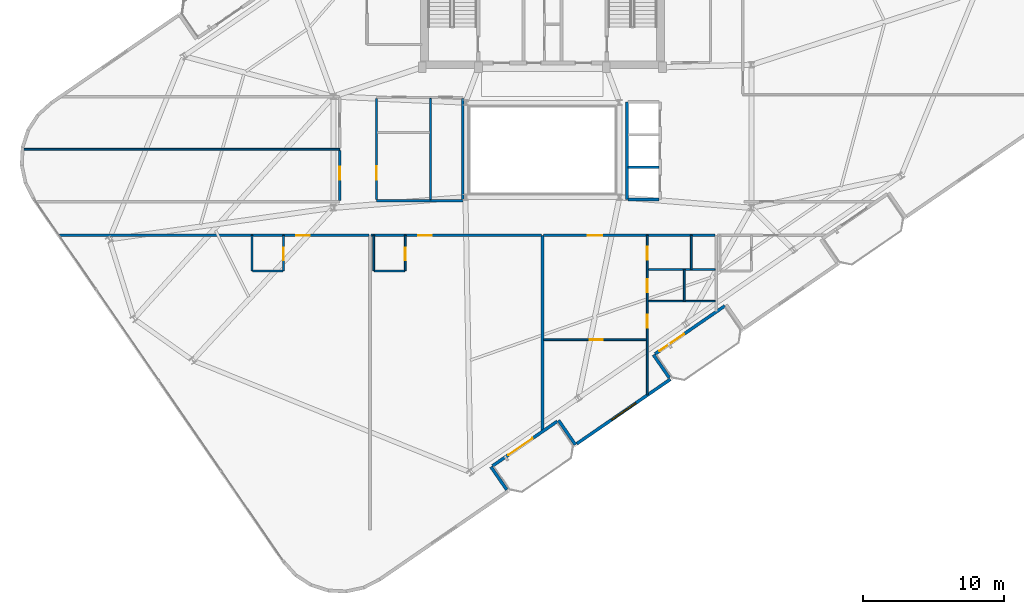
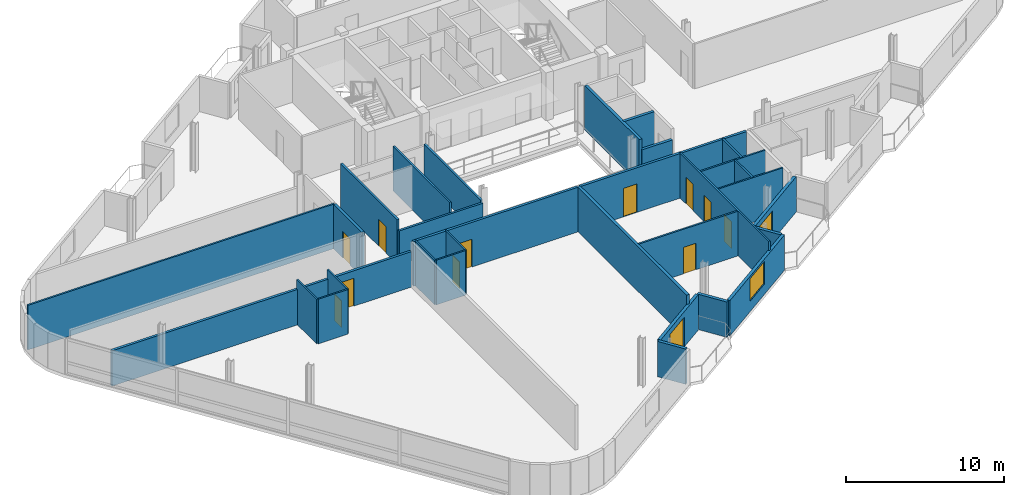
# One storey, part 14 of 21: 31 walls, 13 doors, 1 window, 14 openings.
"""IFC4 building model written with IfcOpenShell, lengths in metres."""

from ifc_helpers import new_model, si_unit, direction, frame, frame_2d, origin, place, context, subcontext, project, spatial, rectangle, extrude, material, layer, layer_set, type_object, element, fill, save


model = new_model("IFC4")

# Units and contexts
model_context = context("Model", 3, precision=1e-05, world=origin(), true_north=direction((0.0, 1.0)))
body_context = subcontext(model_context, "Body", "Model", "MODEL_VIEW")
ifc_project = project(units=[si_unit("LENGTHUNIT", "METRE"), si_unit("AREAUNIT", "SQUARE_METRE"), si_unit("VOLUMEUNIT", "CUBIC_METRE"), si_unit("PLANEANGLEUNIT", "RADIAN"), si_unit("MASSUNIT", "GRAM", prefix="KILO")], contexts=[model_context])

# Site, building, storey
site_placement = place(None, origin())
site = spatial("IfcSite", under=ifc_project, at=site_placement, CompositionType="ELEMENT")
building_placement = place(site_placement, origin())
building = spatial("IfcBuilding", under=site, at=building_placement, Name="Varnelok Gate Tower", CompositionType="ELEMENT")
storey_placement = place(building_placement, frame((0.0, 0.0, 276.699951171875)))
storey = spatial("IfcBuildingStorey", under=building, at=storey_placement, Name="L71", CompositionType="ELEMENT", Elevation=276.699951171875)

# Wall, opening, door
ifc_material_1 = material(Name="Concrete C45/55", Category="concrete")
ifc_layer_1 = layer(ifc_material_1, 0.219970703125)
ifc_layer_set_1 = layer_set([ifc_layer_1], Name="Concrete C45/55")
wall_type_1 = type_object("IfcWallType", Name="EW-BALC-220", PredefinedType="SOLIDWALL", material=ifc_layer_set_1)
wall_1_placement = place(storey_placement, frame((40.243896484375, 3.6884765625, 0.0), z_axis=(0.0, 0.0, 1.0), x_axis=(-0.823541290762, -0.567256328665, 0.0)))
wall_1 = element("IfcWall", 1, at=wall_1_placement, inside=storey, type_object=wall_type_1, Name="L71 South Terrace Envelope Wall 1", PredefinedType="SOLIDWALL", context=body_context, shape_type="SweptSolid", body=[
    extrude(rectangle(XDim=5.567138671875, YDim=0.219970703125, at=frame_2d((2.78369140625, 0.0))), origin(), (0.0, 0.0, 1.0), 2.72998046875),
])
opening_1_placement = place(wall_1_placement, frame((2.10693359375, 0.0, 0.0)))
opening_1 = element("IfcOpeningElement", 2, at=opening_1_placement, cuts=wall_1, Name="Opening BD-2", PredefinedType="OPENING", context=body_context, shape_type="SweptSolid", body=[
    extrude(rectangle(XDim=2.10009765625, YDim=2.300048828125, at=frame_2d((1.050048828125, 1.14990234375))), frame((0.0, 0.119873046875, 0.0), z_axis=(0.0, -1.0, 0.0), x_axis=(1.0, 0.0, 0.0)), (0.0, 0.0, 1.0), 0.239990234375),
])
ifc_material_2 = material(Name="Anodized Aluminum Alloy 6063-T6", Category="aluminium")
door_type_1 = type_object("IfcDoorType", Name="DR-EXT-SLID2100", OperationType="SLIDING_TO_LEFT", PredefinedType="DOOR", material=ifc_material_2)
door_1_placement = place(opening_1_placement, origin())
door_1 = element("IfcDoor", 3, at=door_1_placement, inside=storey, type_object=door_type_1, Name="L71 South Balcony Glazed Door 1", OperationType="SLIDING_TO_LEFT", OverallHeight=2.300048828125, OverallWidth=2.10009765625, PredefinedType="DOOR", context=body_context, shape_type="SweptSolid", body=[
    extrude(rectangle(XDim=2.10009765625, YDim=2.300048828125, at=frame_2d((1.050048828125, 1.14990234375))), frame((0.0, 0.02490234375, 0.0), z_axis=(0.0, -1.0, 0.0), x_axis=(1.0, 0.0, 0.0)), (0.0, 0.0, 1.0), 0.050048828125),
])
fill(opening_1, door_1)

wall_2_placement = place(storey_placement, frame((52.102783203125, 11.85693359375, 0.0), z_axis=(0.0, 0.0, 1.0), x_axis=(-0.823534636215, -0.567265989598, 0.0)))
wall_2 = element("IfcWall", 4, at=wall_2_placement, inside=storey, type_object=wall_type_1, Name="L71 South Terrace Envelope Wall 2", PredefinedType="SOLIDWALL", context=body_context, shape_type="SweptSolid", body=[
    extrude(rectangle(XDim=6.0, YDim=0.219970703125, at=frame_2d((3.0, 0.0))), origin(), (0.0, 0.0, 1.0), 2.72998046875),
])
opening_2_placement = place(wall_2_placement, frame((3.5, 0.0, 0.0)))
opening_2 = element("IfcOpeningElement", 5, at=opening_2_placement, cuts=wall_2, Name="Opening BD-2", PredefinedType="OPENING", context=body_context, shape_type="SweptSolid", body=[
    extrude(rectangle(XDim=2.10009765625, YDim=2.300048828125, at=frame_2d((1.050048828125, 1.14990234375))), frame((0.0, 0.119873046875, 0.0), z_axis=(0.0, -1.0, 0.0), x_axis=(1.0, 0.0, 0.0)), (0.0, 0.0, 1.0), 0.239990234375),
])
door_2_placement = place(opening_2_placement, origin())
door_2 = element("IfcDoor", 6, at=door_2_placement, inside=storey, type_object=door_type_1, Name="L71 South Balcony Glazed Door 2", OperationType="SLIDING_TO_LEFT", OverallHeight=2.300048828125, OverallWidth=2.10009765625, PredefinedType="DOOR", context=body_context, shape_type="SweptSolid", body=[
    extrude(rectangle(XDim=2.10009765625, YDim=2.300048828125, at=frame_2d((1.050048828125, 1.14990234375))), frame((0.0, 0.02490234375, 0.0), z_axis=(0.0, -1.0, 0.0), x_axis=(1.0, 0.0, 0.0)), (0.0, 0.0, 1.0), 0.050048828125),
])
fill(opening_2, door_2)

# Walls
wall_3_placement = place(storey_placement, frame((36.675048828125, -1.156005859375, 0.0), z_axis=(0.0, 0.0, 1.0), x_axis=(-0.567215821234, 0.823569190865, 0.0)))
element("IfcWall", 7, at=wall_3_placement, inside=storey, type_object=wall_type_1, Name="L71 Perimeter Facade Closure Wall 8", PredefinedType="SOLIDWALL", context=body_context, shape_type="SweptSolid", body=[
    extrude(rectangle(XDim=1.97509765625, YDim=0.219970703125, at=frame_2d((0.987548828125, 0.0))), origin(), (0.0, 0.0, 1.0), 2.72998046875),
])
wall_4_placement = place(storey_placement, frame((40.3369140625, 3.7646484375, 0.0), z_axis=(0.0, 0.0, 1.0), x_axis=(0.567352541689, -0.823475010816, 0.0)))
element("IfcWall", 8, at=wall_4_placement, inside=storey, type_object=wall_type_1, Name="L71 Perimeter Facade Closure Wall 9", PredefinedType="SOLIDWALL", context=body_context, shape_type="SweptSolid", body=[
    extrude(rectangle(XDim=2.099853515625, YDim=0.219970703125, at=frame_2d((1.0498046875, 0.0))), origin(), (0.0, 0.0, 1.0), 2.72998046875),
])

# Wall, opening, window
wall_5_placement = place(storey_placement, frame((41.631103515625, 2.106201171875, 0.0), z_axis=(0.0, 0.0, 1.0), x_axis=(0.823530942962, 0.56727135128, 0.0)))
wall_5 = element("IfcWall", 9, at=wall_5_placement, inside=storey, type_object=wall_type_1, Name="L71 Perimeter Facade Closure Wall 10", PredefinedType="SOLIDWALL", context=body_context, shape_type="SweptSolid", body=[
    extrude(rectangle(XDim=8.03515625, YDim=0.219970703125, at=frame_2d((4.017578125, 0.0))), origin(), (0.0, 0.0, 1.0), 2.72998046875),
])
opening_3_placement = place(wall_5_placement, frame((2.967529296875, 0.0, 0.800048828125)))
opening_3 = element("IfcOpeningElement", 10, at=opening_3_placement, cuts=wall_5, Name="Opening WN4", PredefinedType="OPENING", context=body_context, shape_type="SweptSolid", body=[
    extrude(rectangle(XDim=2.10009765625, YDim=1.75, at=frame_2d((1.050048828125, 0.875))), frame((0.0, 0.119873046875, 0.0), z_axis=(0.0, -1.0, 0.0), x_axis=(1.0, 0.0, 0.0)), (0.0, 0.0, 1.0), 0.239990234375),
])
ifc_material_3 = material(Name="Low-E Laminated Double Glazing IGU", Category="glass")
window_type = type_object("IfcWindowType", Name="WN-SUI-2100", PartitioningType="SINGLE_PANEL", PredefinedType="WINDOW", material=ifc_material_3)
window_placement = place(opening_3_placement, origin())
window = element("IfcWindow", 11, at=window_placement, inside=storey, type_object=window_type, Name="L71 Perimeter Vision Window 10", OverallHeight=1.75, OverallWidth=2.10009765625, PartitioningType="SINGLE_PANEL", PredefinedType="WINDOW", context=body_context, shape_type="SweptSolid", body=[
    extrude(rectangle(XDim=2.10009765625, YDim=1.75, at=frame_2d((1.050048828125, 0.875))), frame((0.0, 0.030029296875, 0.0), z_axis=(0.0, -1.0, 0.0), x_axis=(1.0, 0.0, 0.0)), (0.0, 0.0, 1.0), 0.06005859375),
])
fill(opening_3, window)

# Wall
wall_6_placement = place(storey_placement, frame((48.17724609375, 6.76708984375, 0.0), z_axis=(0.0, 0.0, 1.0), x_axis=(-0.567273565974, 0.823529417415, 0.0)))
element("IfcWall", 12, at=wall_6_placement, inside=storey, type_object=wall_type_1, Name="L71 Perimeter Facade Closure Wall 11", PredefinedType="SOLIDWALL", context=body_context, shape_type="SweptSolid", body=[
    extrude(rectangle(XDim=1.97509765625, YDim=0.219970703125, at=frame_2d((0.987548828125, 0.0))), origin(), (0.0, 0.0, 1.0), 2.72998046875),
])

# Wall, opening, door
ifc_material_4 = material(Name="Gypsum Plasterboard Acoustic Partition", Category="gypsum")
ifc_layer_2 = layer(ifc_material_4, 0.179931640625)
ifc_layer_set_2 = layer_set([ifc_layer_2], Name="Gypsum Plasterboard Acoustic Partition")
wall_type_2 = type_object("IfcWallType", Name="PW-CORR-180", PredefinedType="PARTITIONING", material=ifc_layer_set_2)
wall_7_placement = place(storey_placement, frame((5.037841796875, 16.85009765625, 0.0), z_axis=(0.0, 0.0, 1.0), x_axis=(1.0, 0.0, 0.0)))
wall_7 = element("IfcWall", 13, at=wall_7_placement, inside=storey, type_object=wall_type_2, Name="Interior Partition", PredefinedType="PARTITIONING", context=body_context, shape_type="SweptSolid", body=[
    extrude(rectangle(XDim=21.882080078125, YDim=0.179931640625, at=frame_2d((10.94091796875, 0.0))), origin(), (0.0, 0.0, 1.0), 2.739013671875),
])
opening_4_placement = place(wall_7_placement, frame((16.725341796875, 0.0, 0.0)))
opening_4 = element("IfcOpeningElement", 14, at=opening_4_placement, cuts=wall_7, Name="Opening D-HT", PredefinedType="OPENING", context=body_context, shape_type="SweptSolid", body=[
    extrude(rectangle(XDim=0.949951171875, YDim=2.14990234375, at=frame_2d((0.47509765625, 1.074951171875))), frame((0.0, 0.099853515625, 0.0), z_axis=(0.0, -1.0, 0.0), x_axis=(1.0, 0.0, 0.0)), (0.0, 0.0, 1.0), 0.199951171875),
])
ifc_material_5 = material(Name="Engineered Hardwood Timber", Category="wood")
door_type_2 = type_object("IfcDoorType", Name="DR-HTL-950", OperationType="NOTDEFINED", PredefinedType="DOOR", material=ifc_material_5)
door_3_placement = place(opening_4_placement, origin())
door_3 = element("IfcDoor", 15, at=door_3_placement, inside=storey, type_object=door_type_2, Name="L71 Guest Room 01 Entrance Door", OperationType="SINGLE_SWING_RIGHT", OverallHeight=2.14990234375, OverallWidth=0.949951171875, PredefinedType="DOOR", context=body_context, shape_type="SweptSolid", body=[
    extrude(rectangle(XDim=0.949951171875, YDim=2.14990234375, at=frame_2d((0.47509765625, 1.074951171875))), frame((0.0, 0.02490234375, 0.0), z_axis=(0.0, -1.0, 0.0), x_axis=(1.0, 0.0, 0.0)), (0.0, 0.0, 1.0), 0.050048828125),
])
fill(opening_4, door_3)

wall_8_placement = place(storey_placement, frame((27.080078125, 16.85009765625, 0.0), z_axis=(0.0, 0.0, 1.0), x_axis=(1.0, 0.0, 0.0)))
wall_8 = element("IfcWall", 16, at=wall_8_placement, inside=storey, type_object=wall_type_2, Name="Interior Partition", PredefinedType="PARTITIONING", context=body_context, shape_type="SweptSolid", body=[
    extrude(rectangle(XDim=12.0400390625, YDim=0.179931640625, at=frame_2d((6.02001953125, 0.0))), origin(), (0.0, 0.0, 1.0), 3.449951171875),
])
opening_5_placement = place(wall_8_placement, frame((3.328369140625, 0.0, 0.0)))
opening_5 = element("IfcOpeningElement", 17, at=opening_5_placement, cuts=wall_8, Name="Opening D-HT", PredefinedType="OPENING", context=body_context, shape_type="SweptSolid", body=[
    extrude(rectangle(XDim=0.949951171875, YDim=2.14990234375, at=frame_2d((0.47509765625, 1.074951171875))), frame((0.0, 0.099853515625, 0.0), z_axis=(0.0, -1.0, 0.0), x_axis=(1.0, 0.0, 0.0)), (0.0, 0.0, 1.0), 0.199951171875),
])
door_4_placement = place(opening_5_placement, origin())
door_4 = element("IfcDoor", 18, at=door_4_placement, inside=storey, type_object=door_type_2, Name="L71 Guest Room 02 Entrance Door", OperationType="SINGLE_SWING_LEFT", OverallHeight=2.14990234375, OverallWidth=0.949951171875, PredefinedType="DOOR", context=body_context, shape_type="SweptSolid", body=[
    extrude(rectangle(XDim=0.949951171875, YDim=2.14990234375, at=frame_2d((0.47509765625, 1.074951171875))), frame((0.0, 0.02490234375, 0.0), z_axis=(0.0, -1.0, 0.0), x_axis=(1.0, 0.0, 0.0)), (0.0, 0.0, 1.0), 0.050048828125),
])
fill(opening_5, door_4)

wall_9_placement = place(storey_placement, frame((39.280029296875, 16.85009765625, 0.0), z_axis=(0.0, 0.0, 1.0), x_axis=(1.0, 0.0, 0.0)))
wall_9 = element("IfcWall", 19, at=wall_9_placement, inside=storey, type_object=wall_type_2, Name="Interior Partition", PredefinedType="PARTITIONING", context=body_context, shape_type="SweptSolid", body=[
    extrude(rectangle(XDim=12.139892578125, YDim=0.179931640625, at=frame_2d((6.06982421875, 0.0))), origin(), (0.0, 0.0, 1.0), 3.449951171875),
])
opening_6_placement = place(wall_9_placement, frame((3.135009765625, 0.0, 0.0)))
opening_6 = element("IfcOpeningElement", 20, at=opening_6_placement, cuts=wall_9, Name="Opening D-AP", PredefinedType="OPENING", context=body_context, shape_type="SweptSolid", body=[
    extrude(rectangle(XDim=1.0, YDim=2.199951171875, at=frame_2d((0.5, 1.10009765625))), frame((0.0, 0.099853515625, 0.0), z_axis=(0.0, -1.0, 0.0), x_axis=(1.0, 0.0, 0.0)), (0.0, 0.0, 1.0), 0.199951171875),
])
door_type_3 = type_object("IfcDoorType", Name="DR-APT-1000", OperationType="NOTDEFINED", PredefinedType="DOOR", material=ifc_material_5)
door_5_placement = place(opening_6_placement, origin())
door_5 = element("IfcDoor", 21, at=door_5_placement, inside=storey, type_object=door_type_3, Name="L71 Apartment 3 Entrance Door", OperationType="SINGLE_SWING_RIGHT", OverallHeight=2.199951171875, OverallWidth=1.0, PredefinedType="DOOR", context=body_context, shape_type="SweptSolid", body=[
    extrude(rectangle(XDim=1.0, YDim=2.199951171875, at=frame_2d((0.5, 1.10009765625))), frame((0.0, 0.02490234375, 0.0), z_axis=(0.0, -1.0, 0.0), x_axis=(1.0, 0.0, 0.0)), (0.0, 0.0, 1.0), 0.050048828125),
])
fill(opening_6, door_5)

wall_10_placement = place(storey_placement, frame((24.85009765625, 19.300048828125, 0.0), z_axis=(0.0, 0.0, 1.0), x_axis=(0.0, 1.0, 0.0)))
wall_10 = element("IfcWall", 22, at=wall_10_placement, inside=storey, type_object=wall_type_2, Name="Interior Partition", PredefinedType="PARTITIONING", context=body_context, shape_type="SweptSolid", body=[
    extrude(rectangle(XDim=3.570068359375, YDim=0.179931640625, at=frame_2d((1.78515625, 0.0))), origin(), (0.0, 0.0, 1.0), 3.449951171875),
])
opening_7_placement = place(wall_10_placement, frame((1.49951171875, 0.0, 0.0)))
opening_7 = element("IfcOpeningElement", 23, at=opening_7_placement, cuts=wall_10, Name="Opening D-I3", PredefinedType="OPENING", context=body_context, shape_type="SweptSolid", body=[
    extrude(rectangle(XDim=0.919921875, YDim=2.050048828125, at=frame_2d((0.4599609375, 1.02490234375))), frame((0.0, 0.099853515625, 0.0), z_axis=(0.0, -1.0, 0.0), x_axis=(1.0, 0.0, 0.0)), (0.0, 0.0, 1.0), 0.199951171875),
])
door_type_4 = type_object("IfcDoorType", Name="DR-INT-920", OperationType="NOTDEFINED", PredefinedType="DOOR", material=ifc_material_5)
door_6_placement = place(opening_7_placement, origin())
door_6 = element("IfcDoor", 24, at=door_6_placement, inside=storey, type_object=door_type_4, Name="L71 West Wing Room 1 Door", OperationType="SINGLE_SWING_LEFT", OverallHeight=2.050048828125, OverallWidth=0.919921875, PredefinedType="DOOR", context=body_context, shape_type="SweptSolid", body=[
    extrude(rectangle(XDim=0.919921875, YDim=2.050048828125, at=frame_2d((0.4599609375, 1.02490234375))), frame((0.0, 0.02490234375, 0.0), z_axis=(0.0, -1.0, 0.0), x_axis=(1.0, 0.0, 0.0)), (0.0, 0.0, 1.0), 0.050048828125),
])
fill(opening_7, door_6)

# Wall
ifc_layer_3 = layer(ifc_material_4, 0.114990234375)
ifc_layer_set_3 = layer_set([ifc_layer_3], Name="Gypsum Plasterboard Acoustic Partition")
wall_type_3 = type_object("IfcWallType", Name="PW-ENS-125", PredefinedType="PARTITIONING", material=ifc_layer_set_3)
wall_11_placement = place(storey_placement, frame((18.679931640625, 14.330078125, 0.0), z_axis=(0.0, 0.0, 1.0), x_axis=(1.0, 0.0, 0.0)))
element("IfcWall", 25, at=wall_11_placement, inside=storey, type_object=wall_type_3, Name="Interior Partition", PredefinedType="PARTITIONING", context=body_context, shape_type="SweptSolid", body=[
    extrude(rectangle(XDim=2.150146484375, YDim=0.114990234375, at=frame_2d((1.0751953125, 0.0))), origin(), (0.0, 0.0, 1.0), 3.449951171875),
])

# Wall, opening, door
wall_12_placement = place(storey_placement, frame((20.8701171875, 14.330078125, 0.0), z_axis=(0.0, 0.0, 1.0), x_axis=(0.0, 1.0, 0.0)))
wall_12 = element("IfcWall", 26, at=wall_12_placement, inside=storey, type_object=wall_type_3, Name="Interior Partition", PredefinedType="PARTITIONING", context=body_context, shape_type="SweptSolid", body=[
    extrude(rectangle(XDim=2.52001953125, YDim=0.114990234375, at=frame_2d((1.260009765625, 0.0))), origin(), (0.0, 0.0, 1.0), 3.449951171875),
])
opening_8_placement = place(wall_12_placement, frame((0.760009765625, 0.0, 0.0)))
opening_8 = element("IfcOpeningElement", 27, at=opening_8_placement, cuts=wall_12, Name="Opening D-WC", PredefinedType="OPENING", context=body_context, shape_type="SweptSolid", body=[
    extrude(rectangle(XDim=0.89990234375, YDim=2.050048828125, at=frame_2d((0.449951171875, 1.02490234375))), frame((0.0, 0.0673828125, 0.0), z_axis=(0.0, -1.0, 0.0), x_axis=(1.0, 0.0, 0.0)), (0.0, 0.0, 1.0), 0.135009765625),
])
door_type_5 = type_object("IfcDoorType", Name="DR-BATH-900", OperationType="NOTDEFINED", PredefinedType="DOOR", material=ifc_material_5)
door_7_placement = place(opening_8_placement, origin())
door_7 = element("IfcDoor", 28, at=door_7_placement, inside=storey, type_object=door_type_5, Name="L71 Guest En-Suite 01 Door", OperationType="SINGLE_SWING_LEFT", OverallHeight=2.050048828125, OverallWidth=0.89990234375, PredefinedType="DOOR", context=body_context, shape_type="SweptSolid", body=[
    extrude(rectangle(XDim=0.89990234375, YDim=2.050048828125, at=frame_2d((0.449951171875, 1.02490234375))), frame((0.0, 0.02490234375, 0.0), z_axis=(0.0, -1.0, 0.0), x_axis=(1.0, 0.0, 0.0)), (0.0, 0.0, 1.0), 0.050048828125),
])
fill(opening_8, door_7)

# Walls
wall_13_placement = place(storey_placement, frame((18.639892578125, 14.330078125, 0.0), z_axis=(0.0, 0.0, 1.0), x_axis=(0.0, 1.0, 0.0)))
element("IfcWall", 29, at=wall_13_placement, inside=storey, type_object=wall_type_3, Name="Interior Partition", PredefinedType="PARTITIONING", context=body_context, shape_type="SweptSolid", body=[
    extrude(rectangle(XDim=2.52001953125, YDim=0.114990234375, at=frame_2d((1.260009765625, 0.0))), origin(), (0.0, 0.0, 1.0), 3.449951171875),
])
wall_14_placement = place(storey_placement, frame((27.300048828125, 14.330078125, 0.0), z_axis=(0.0, 0.0, 1.0), x_axis=(1.0, 0.0, 0.0)))
element("IfcWall", 30, at=wall_14_placement, inside=storey, type_object=wall_type_3, Name="Interior Partition", PredefinedType="PARTITIONING", context=body_context, shape_type="SweptSolid", body=[
    extrude(rectangle(XDim=2.14990234375, YDim=0.114990234375, at=frame_2d((1.074951171875, 0.0))), origin(), (0.0, 0.0, 1.0), 3.449951171875),
])

# Wall, opening, door
wall_15_placement = place(storey_placement, frame((29.489990234375, 14.330078125, 0.0), z_axis=(0.0, 0.0, 1.0), x_axis=(0.0, 1.0, 0.0)))
wall_15 = element("IfcWall", 31, at=wall_15_placement, inside=storey, type_object=wall_type_3, Name="Interior Partition", PredefinedType="PARTITIONING", context=body_context, shape_type="SweptSolid", body=[
    extrude(rectangle(XDim=2.52001953125, YDim=0.114990234375, at=frame_2d((1.260009765625, 0.0))), origin(), (0.0, 0.0, 1.0), 3.449951171875),
])
opening_9_placement = place(wall_15_placement, frame((0.760009765625, 0.0, 0.0)))
opening_9 = element("IfcOpeningElement", 32, at=opening_9_placement, cuts=wall_15, Name="Opening D-WC", PredefinedType="OPENING", context=body_context, shape_type="SweptSolid", body=[
    extrude(rectangle(XDim=0.89990234375, YDim=2.050048828125, at=frame_2d((0.449951171875, 1.02490234375))), frame((0.0, 0.0673828125, 0.0), z_axis=(0.0, -1.0, 0.0), x_axis=(1.0, 0.0, 0.0)), (0.0, 0.0, 1.0), 0.135009765625),
])
door_8_placement = place(opening_9_placement, origin())
door_8 = element("IfcDoor", 33, at=door_8_placement, inside=storey, type_object=door_type_5, Name="L71 Guest En-Suite 02 Door", OperationType="SINGLE_SWING_LEFT", OverallHeight=2.050048828125, OverallWidth=0.89990234375, PredefinedType="DOOR", context=body_context, shape_type="SweptSolid", body=[
    extrude(rectangle(XDim=0.89990234375, YDim=2.050048828125, at=frame_2d((0.449951171875, 1.02490234375))), frame((0.0, 0.02490234375, 0.0), z_axis=(0.0, -1.0, 0.0), x_axis=(1.0, 0.0, 0.0)), (0.0, 0.0, 1.0), 0.050048828125),
])
fill(opening_9, door_8)

# Walls
wall_16_placement = place(storey_placement, frame((27.260009765625, 14.330078125, 0.0), z_axis=(0.0, 0.0, 1.0), x_axis=(0.0, 1.0, 0.0)))
element("IfcWall", 34, at=wall_16_placement, inside=storey, type_object=wall_type_3, Name="Interior Partition", PredefinedType="PARTITIONING", context=body_context, shape_type="SweptSolid", body=[
    extrude(rectangle(XDim=2.52001953125, YDim=0.114990234375, at=frame_2d((1.260009765625, 0.0))), origin(), (0.0, 0.0, 1.0), 3.449951171875),
])
wall_17_placement = place(storey_placement, frame((46.68994140625, 12.199951171875, 0.0), z_axis=(0.0, 0.0, 1.0), x_axis=(1.0, 0.0, 0.0)))
element("IfcWall", 35, at=wall_17_placement, inside=storey, type_object=wall_type_3, Name="Interior Partition", PredefinedType="PARTITIONING", context=body_context, shape_type="SweptSolid", body=[
    extrude(rectangle(XDim=4.72998046875, YDim=0.114990234375, at=frame_2d((2.364990234375, 0.0))), origin(), (0.0, 0.0, 1.0), 3.449951171875),
])
wall_18_placement = place(storey_placement, frame((49.22998046875, 12.199951171875, 0.0), z_axis=(0.0, 0.0, 1.0), x_axis=(0.0, 1.0, 0.0)))
element("IfcWall", 36, at=wall_18_placement, inside=storey, type_object=wall_type_3, Name="Interior Partition", PredefinedType="PARTITIONING", context=body_context, shape_type="SweptSolid", body=[
    extrude(rectangle(XDim=2.239990234375, YDim=0.114990234375, at=frame_2d((1.1201171875, 0.0))), origin(), (0.0, 0.0, 1.0), 3.449951171875),
])

# Wall, opening, door
ifc_layer_4 = layer(ifc_material_4, 0.125)
ifc_layer_set_4 = layer_set([ifc_layer_4], Name="Gypsum Plasterboard Acoustic Partition")
wall_type_4 = type_object("IfcWallType", Name="PW-PART-125", PredefinedType="PARTITIONING", material=ifc_layer_set_4)
wall_19_placement = place(storey_placement, frame((39.280029296875, 9.470458984375, 0.0), z_axis=(0.0, 0.0, 1.0), x_axis=(1.0, 0.0, 0.0)))
wall_19 = element("IfcWall", 37, at=wall_19_placement, inside=storey, type_object=wall_type_4, Name="Interior Partition", PredefinedType="PARTITIONING", context=body_context, shape_type="SweptSolid", body=[
    extrude(rectangle(XDim=7.27001953125, YDim=0.125, at=frame_2d((3.635009765625, 0.0))), origin(), (0.0, 0.0, 1.0), 3.449951171875),
])
opening_10_placement = place(wall_19_placement, frame((3.271484375, 0.0, 0.0)))
opening_10 = element("IfcOpeningElement", 38, at=opening_10_placement, cuts=wall_19, Name="Opening D-I3", PredefinedType="OPENING", context=body_context, shape_type="SweptSolid", body=[
    extrude(rectangle(XDim=0.919921875, YDim=2.050048828125, at=frame_2d((0.4599609375, 1.02490234375))), frame((0.0, 0.072509765625, 0.0), z_axis=(0.0, -1.0, 0.0), x_axis=(1.0, 0.0, 0.0)), (0.0, 0.0, 1.0), 0.14501953125),
])
door_9_placement = place(opening_10_placement, origin())
door_9 = element("IfcDoor", 39, at=door_9_placement, inside=storey, type_object=door_type_4, Name="L71 Apartment 3 Study Door", OperationType="SINGLE_SWING_LEFT", OverallHeight=2.050048828125, OverallWidth=0.919921875, PredefinedType="DOOR", context=body_context, shape_type="SweptSolid", body=[
    extrude(rectangle(XDim=0.919921875, YDim=2.050048828125, at=frame_2d((0.4599609375, 1.02490234375))), frame((0.0, 0.02490234375, 0.0), z_axis=(0.0, -1.0, 0.0), x_axis=(1.0, 0.0, 0.0)), (0.0, 0.0, 1.0), 0.050048828125),
])
fill(opening_10, door_9)

# Wall, openings, doors
wall_20_placement = place(storey_placement, frame((46.6201171875, 5.56689453125, 0.0), z_axis=(0.0, 0.0, 1.0), x_axis=(0.0, 1.0, 0.0)))
wall_20 = element("IfcWall", 40, at=wall_20_placement, inside=storey, type_object=wall_type_4, Name="Interior Partition", PredefinedType="PARTITIONING", context=body_context, shape_type="SweptSolid", body=[
    extrude(rectangle(XDim=11.283203125, YDim=0.125, at=frame_2d((5.6416015625, 0.0))), origin(), (0.0, 0.0, 1.0), 3.449951171875),
])
opening_11_placement = place(wall_20_placement, frame((4.7568359375, 0.0, 0.0)))
opening_11 = element("IfcOpeningElement", 41, at=opening_11_placement, cuts=wall_20, Name="Opening D-I3", PredefinedType="OPENING", context=body_context, shape_type="SweptSolid", body=[
    extrude(rectangle(XDim=0.919921875, YDim=2.050048828125, at=frame_2d((0.4599609375, 1.02490234375))), frame((0.0, 0.072509765625, 0.0), z_axis=(0.0, -1.0, 0.0), x_axis=(1.0, 0.0, 0.0)), (0.0, 0.0, 1.0), 0.14501953125),
])
opening_12_placement = place(wall_20_placement, frame((7.260498046875, 0.0, 0.0)))
opening_12 = element("IfcOpeningElement", 42, at=opening_12_placement, cuts=wall_20, Name="Opening D-WC", PredefinedType="OPENING", context=body_context, shape_type="SweptSolid", body=[
    extrude(rectangle(XDim=0.89990234375, YDim=2.050048828125, at=frame_2d((0.449951171875, 1.02490234375))), frame((0.0, 0.072509765625, 0.0), z_axis=(0.0, -1.0, 0.0), x_axis=(1.0, 0.0, 0.0)), (0.0, 0.0, 1.0), 0.14501953125),
])
opening_13_placement = place(wall_20_placement, frame((9.552978515625, 0.0, 0.0)))
opening_13 = element("IfcOpeningElement", 43, at=opening_13_placement, cuts=wall_20, Name="Opening D-I3", PredefinedType="OPENING", context=body_context, shape_type="SweptSolid", body=[
    extrude(rectangle(XDim=0.919921875, YDim=2.050048828125, at=frame_2d((0.4599609375, 1.02490234375))), frame((0.0, 0.072509765625, 0.0), z_axis=(0.0, -1.0, 0.0), x_axis=(1.0, 0.0, 0.0)), (0.0, 0.0, 1.0), 0.14501953125),
])
door_10_placement = place(opening_12_placement, origin())
door_10 = element("IfcDoor", 44, at=door_10_placement, inside=storey, type_object=door_type_5, Name="L71 Apartment 3 Bathroom Door", OperationType="SINGLE_SWING_LEFT", OverallHeight=2.050048828125, OverallWidth=0.89990234375, PredefinedType="DOOR", context=body_context, shape_type="SweptSolid", body=[
    extrude(rectangle(XDim=0.89990234375, YDim=2.050048828125, at=frame_2d((0.449951171875, 1.02490234375))), frame((0.0, 0.02490234375, 0.0), z_axis=(0.0, -1.0, 0.0), x_axis=(1.0, 0.0, 0.0)), (0.0, 0.0, 1.0), 0.050048828125),
])
fill(opening_12, door_10)
door_11_placement = place(opening_11_placement, origin())
door_11 = element("IfcDoor", 45, at=door_11_placement, inside=storey, type_object=door_type_4, Name="L71 Apartment 3 Bedroom Door", OperationType="SINGLE_SWING_RIGHT", OverallHeight=2.050048828125, OverallWidth=0.919921875, PredefinedType="DOOR", context=body_context, shape_type="SweptSolid", body=[
    extrude(rectangle(XDim=0.919921875, YDim=2.050048828125, at=frame_2d((0.4599609375, 1.02490234375))), frame((0.0, 0.02490234375, 0.0), z_axis=(0.0, -1.0, 0.0), x_axis=(1.0, 0.0, 0.0)), (0.0, 0.0, 1.0), 0.050048828125),
])
fill(opening_11, door_11)
door_12_placement = place(opening_13_placement, origin())
door_12 = element("IfcDoor", 46, at=door_12_placement, inside=storey, type_object=door_type_4, Name="L71 Apartment 3 Kitchen Door", OperationType="SINGLE_SWING_RIGHT", OverallHeight=2.050048828125, OverallWidth=0.919921875, PredefinedType="DOOR", context=body_context, shape_type="SweptSolid", body=[
    extrude(rectangle(XDim=0.919921875, YDim=2.050048828125, at=frame_2d((0.4599609375, 1.02490234375))), frame((0.0, 0.02490234375, 0.0), z_axis=(0.0, -1.0, 0.0), x_axis=(1.0, 0.0, 0.0)), (0.0, 0.0, 1.0), 0.050048828125),
])
fill(opening_13, door_12)

# Walls
wall_21_placement = place(storey_placement, frame((46.68994140625, 14.43994140625, 0.0), z_axis=(0.0, 0.0, 1.0), x_axis=(1.0, 0.0, 0.0)))
element("IfcWall", 47, at=wall_21_placement, inside=storey, type_object=wall_type_4, Name="Interior Partition", PredefinedType="PARTITIONING", context=body_context, shape_type="SweptSolid", body=[
    extrude(rectangle(XDim=4.72998046875, YDim=0.125, at=frame_2d((2.364990234375, 0.0))), origin(), (0.0, 0.0, 1.0), 3.449951171875),
])
wall_22_placement = place(storey_placement, frame((49.72998046875, 14.43994140625, 0.0), z_axis=(0.0, 0.0, 1.0), x_axis=(0.0, 1.0, 0.0)))
element("IfcWall", 48, at=wall_22_placement, inside=storey, type_object=wall_type_4, Name="Interior Partition", PredefinedType="PARTITIONING", context=body_context, shape_type="SweptSolid", body=[
    extrude(rectangle(XDim=2.41015625, YDim=0.125, at=frame_2d((1.205078125, 0.0))), origin(), (0.0, 0.0, 1.0), 3.449951171875),
])
wall_23_placement = place(storey_placement, frame((2.424072265625, 22.949951171875, 0.0), z_axis=(0.0, 0.0, 1.0), x_axis=(1.0, 0.0, 0.0)))
element("IfcWall", 49, at=wall_23_placement, inside=storey, type_object=wall_type_4, Name="Interior Partition", PredefinedType="PARTITIONING", context=body_context, shape_type="SweptSolid", body=[
    extrude(rectangle(XDim=22.426025390625, YDim=0.125, at=frame_2d((11.212890625, 0.0))), origin(), (0.0, 0.0, 1.0), 3.449951171875),
])
wall_24_placement = place(storey_placement, frame((31.280029296875, 19.3798828125, 0.0), z_axis=(0.0, 0.0, 1.0), x_axis=(0.0, 1.0, 0.0)))
element("IfcWall", 50, at=wall_24_placement, inside=storey, type_object=wall_type_4, Name="Interior Partition", PredefinedType="PARTITIONING", context=body_context, shape_type="SweptSolid", body=[
    extrude(rectangle(XDim=7.16015625, YDim=0.125, at=frame_2d((3.580078125, 0.0))), origin(), (0.0, 0.0, 1.0), 3.449951171875),
])
ifc_layer_5 = layer(ifc_material_4, 0.14990234375)
ifc_layer_set_5 = layer_set([ifc_layer_5], Name="Gypsum Plasterboard Acoustic Partition")
wall_type_5 = type_object("IfcWallType", Name="PW-PART-150", PredefinedType="PARTITIONING", material=ifc_layer_set_5)
wall_25_placement = place(storey_placement, frame((27.4599609375, 19.300048828125, 0.0), z_axis=(0.0, 0.0, 1.0), x_axis=(1.0, 0.0, 0.0)))
element("IfcWall", 51, at=wall_25_placement, inside=storey, type_object=wall_type_5, Name="Interior Partition", PredefinedType="PARTITIONING", context=body_context, shape_type="SweptSolid", body=[
    extrude(rectangle(XDim=6.10009765625, YDim=0.14990234375, at=frame_2d((3.050048828125, 0.0))), origin(), (0.0, 0.0, 1.0), 2.662109375),
])

# Wall, opening, door
wall_26_placement = place(storey_placement, frame((27.4599609375, 19.3798828125, 0.0), z_axis=(0.0, 0.0, 1.0), x_axis=(0.0, 1.0, 0.0)))
wall_26 = element("IfcWall", 52, at=wall_26_placement, inside=storey, type_object=wall_type_5, Name="Interior Partition", PredefinedType="PARTITIONING", context=body_context, shape_type="SweptSolid", body=[
    extrude(rectangle(XDim=7.16015625, YDim=0.14990234375, at=frame_2d((3.580078125, 0.0))), origin(), (0.0, 0.0, 1.0), 3.449951171875),
])
opening_14_placement = place(wall_26_placement, frame((1.39990234375, 0.0, 0.0)))
opening_14 = element("IfcOpeningElement", 53, at=opening_14_placement, cuts=wall_26, Name="Opening D-I2", PredefinedType="OPENING", context=body_context, shape_type="SweptSolid", body=[
    extrude(rectangle(XDim=0.949951171875, YDim=2.050048828125, at=frame_2d((0.47509765625, 1.02490234375))), frame((0.0, 0.0849609375, 0.0), z_axis=(0.0, -1.0, 0.0), x_axis=(1.0, 0.0, 0.0)), (0.0, 0.0, 1.0), 0.169921875),
])
door_type_6 = type_object("IfcDoorType", Name="DR-INT-950", OperationType="NOTDEFINED", PredefinedType="DOOR", material=ifc_material_5)
door_13_placement = place(opening_14_placement, origin())
door_13 = element("IfcDoor", 54, at=door_13_placement, inside=storey, type_object=door_type_6, Name="L71 Constructivist Architecture Exhibition Gallery Door", OperationType="SINGLE_SWING_LEFT", OverallHeight=2.050048828125, OverallWidth=0.949951171875, PredefinedType="DOOR", context=body_context, shape_type="SweptSolid", body=[
    extrude(rectangle(XDim=0.949951171875, YDim=2.050048828125, at=frame_2d((0.47509765625, 1.02490234375))), frame((0.0, 0.02490234375, 0.0), z_axis=(0.0, -1.0, 0.0), x_axis=(1.0, 0.0, 0.0)), (0.0, 0.0, 1.0), 0.050048828125),
])
fill(opening_14, door_13)

# Walls
wall_27_placement = place(storey_placement, frame((33.56005859375, 19.3798828125, 0.0), z_axis=(0.0, 0.0, 1.0), x_axis=(0.0, 1.0, 0.0)))
element("IfcWall", 55, at=wall_27_placement, inside=storey, type_object=wall_type_5, Name="Interior Partition", PredefinedType="PARTITIONING", context=body_context, shape_type="SweptSolid", body=[
    extrude(rectangle(XDim=7.16015625, YDim=0.14990234375, at=frame_2d((3.580078125, 0.0))), origin(), (0.0, 0.0, 1.0), 2.823974609375),
])
ifc_layer_6 = layer(ifc_material_4, 0.205078125)
ifc_layer_set_6 = layer_set([ifc_layer_6], Name="Gypsum Plasterboard Acoustic Partition")
wall_type_6 = type_object("IfcWallType", Name="PW-PARTY-200", PredefinedType="PARTITIONING", material=ifc_layer_set_6)
wall_28_placement = place(storey_placement, frame((39.199951171875, 3.005859375, 0.0), z_axis=(0.0, 0.0, 1.0), x_axis=(0.0, 1.0, 0.0)))
element("IfcWall", 56, at=wall_28_placement, inside=storey, type_object=wall_type_6, Name="L71 South Party Wall 2", PredefinedType="PARTITIONING", context=body_context, shape_type="SweptSolid", body=[
    extrude(rectangle(XDim=13.84423828125, YDim=0.205078125, at=frame_2d((6.922119140625, 0.0))), origin(), (0.0, 0.0, 1.0), 3.449951171875),
])
ifc_material_6 = material(Name="Concrete C35/45", Category="concrete")
ifc_layer_7 = layer(ifc_material_6, 0.199951171875)
ifc_layer_set_7 = layer_set([ifc_layer_7], Name="Concrete C35/45")
wall_type_7 = type_object("IfcWallType", Name="PW-SHAFT-200", PredefinedType="PARTITIONING", material=ifc_layer_set_7)
wall_29_placement = place(storey_placement, frame((45.239990234375, 21.675048828125, 0.0), z_axis=(0.0, 0.0, 1.0), x_axis=(1.0, 0.0, 0.0)))
element("IfcWall", 57, at=wall_29_placement, inside=storey, type_object=wall_type_7, Name="L71 PH1 Divider", PredefinedType="PARTITIONING", context=body_context, shape_type="SweptSolid", body=[
    extrude(rectangle(XDim=2.219970703125, YDim=0.199951171875, at=frame_2d((1.10986328125, 0.0))), origin(), (0.0, 0.0, 1.0), 3.449951171875),
])
wall_30_placement = place(storey_placement, frame((45.239990234375, 19.3798828125, 0.0), z_axis=(0.0, 0.0, 1.0), x_axis=(1.0, 0.0, 0.0)))
element("IfcWall", 58, at=wall_30_placement, inside=storey, type_object=wall_type_7, Name="L71 PH Bank South Wall", PredefinedType="PARTITIONING", context=body_context, shape_type="SweptSolid", body=[
    extrude(rectangle(XDim=2.219970703125, YDim=0.199951171875, at=frame_2d((1.10986328125, 0.0))), origin(), (0.0, 0.0, 1.0), 2.662109375),
])
wall_31_placement = place(storey_placement, frame((45.179931640625, 19.3798828125, 0.0), z_axis=(0.0, 0.0, 1.0), x_axis=(0.0, 1.0, 0.0)))
element("IfcWall", 59, at=wall_31_placement, inside=storey, type_object=wall_type_7, Name="L71 PH Bank Atrium Wall", PredefinedType="PARTITIONING", context=body_context, shape_type="SweptSolid", body=[
    extrude(rectangle(XDim=6.900146484375, YDim=0.199951171875, at=frame_2d((3.4501953125, 0.0))), origin(), (0.0, 0.0, 1.0), 3.449951171875),
])

save(model, "model.ifc")
